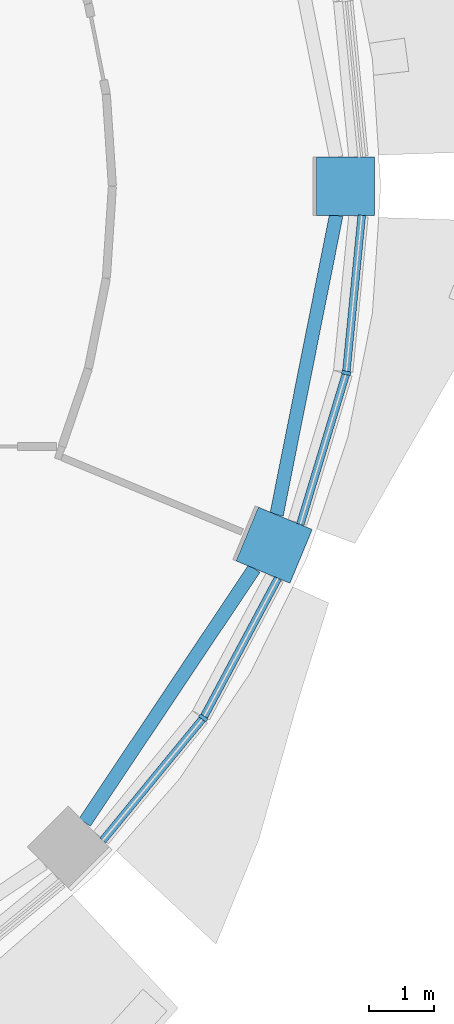
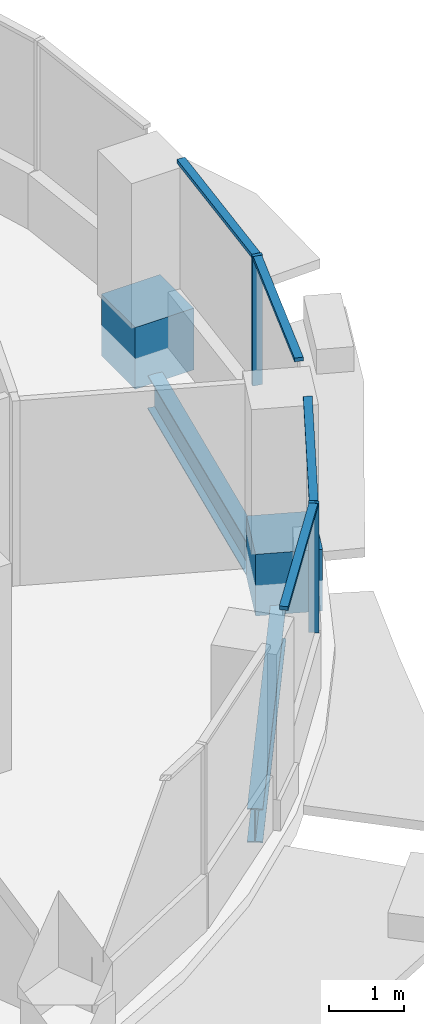
# One storey, part 3 of 14: 8 members, 2 beams, 2 elements without a shape of their own.
"""IFC4 building model written with IfcOpenShell, lengths in metres."""

from ifc_helpers import new_model, si_unit, direction, frame, origin, origin_2d, place, context, subcontext, project, spatial, rectangle, i_section, extrude, material, material_profile, profile_set, type_object, element, aggregate, save


model = new_model("IFC4")

# Units and contexts
model_context = context("Model", 3, precision=1e-05, world=origin(), true_north=direction((0.0, 1.0)))
body_context = subcontext(model_context, "Body", "Model", "MODEL_VIEW")
ifc_project = project(units=[si_unit("LENGTHUNIT", "METRE"), si_unit("AREAUNIT", "SQUARE_METRE"), si_unit("VOLUMEUNIT", "CUBIC_METRE"), si_unit("PLANEANGLEUNIT", "RADIAN"), si_unit("MASSUNIT", "GRAM", prefix="KILO")], contexts=[model_context])

# Site, building, storey
site_placement = place(None, origin())
site = spatial("IfcSite", under=ifc_project, at=site_placement, CompositionType="ELEMENT")
building_placement = place(site_placement, origin())
building = spatial("IfcBuilding", under=site, at=building_placement, Name="Polderwave Tower", CompositionType="ELEMENT")
storey_placement = place(building_placement, frame((0.0, 0.0, 227.85009765625)))
storey = spatial("IfcBuildingStorey", under=building, at=storey_placement, Name="L62", CompositionType="ELEMENT", Elevation=227.85009765625)

# Curtain wall, member
ifc_material_1 = material(Name="Aluminium 6063-T6 and glass", Category="aluminium")
curtain_wall_type = type_object("IfcCurtainWallType", Name="Office ribbon glazing wall", PredefinedType="NOTDEFINED", material=ifc_material_1)
curtain_wall_1_placement = place(storey_placement, origin())
curtain_wall_1 = element("IfcCurtainWall", 1, at=curtain_wall_1_placement, inside=storey, type_object=curtain_wall_type, Name="CW3 L62 14", PredefinedType="NOTDEFINED")
ifc_material_2 = material(Name="Aluminium 6063-T6", Category="aluminium")
ifc_material_profile_1 = material_profile(ifc_material_2, rectangle(XDim=0.139892578125, YDim=0.054931640625, at=origin_2d()), Name="AL 55x140")
ifc_profile_set_1 = profile_set([ifc_material_profile_1], Name="Aluminium 6063-T6")
member_type_1 = type_object("IfcMemberType", Name="Office ribbon glazing mullion 55x140", PredefinedType="MULLION", material=ifc_profile_set_1)
member_1_placement = place(storey_placement, frame((12.305908203125, -8.221923828125, 0.89990234375), z_axis=(0.0, 0.0, 1.0), x_axis=(-0.83150257904, 0.555520891641, 0.0)))
member_1 = element("IfcMember", 2, at=member_1_placement, type_object=member_type_1, Name="CW3 mullion 1", PredefinedType="MULLION", context=body_context, shape_type="SweptSolid", body=[
    extrude(rectangle(XDim=0.139892578125, YDim=0.054931640625, at=origin_2d()), origin(), (0.0, 0.0, 1.0), 2.10009765625),
])

curtain_wall_2_placement = place(storey_placement, origin())
curtain_wall_2 = element("IfcCurtainWall", 3, at=curtain_wall_2_placement, inside=storey, type_object=curtain_wall_type, Name="CW3 L62 15", PredefinedType="NOTDEFINED")
member_2_placement = place(storey_placement, frame((14.51611328125, -2.886962890625, 0.89990234375), z_axis=(0.0, 0.0, 1.0), x_axis=(-0.980788004282, 0.195076627651, 0.0)))
member_2 = element("IfcMember", 4, at=member_2_placement, type_object=member_type_1, Name="CW3 mullion 1", PredefinedType="MULLION", context=body_context, shape_type="SweptSolid", body=[
    extrude(rectangle(XDim=0.139892578125, YDim=0.054931640625, at=origin_2d()), origin(), (0.0, 0.0, 1.0), 2.10009765625),
])

# Member
ifc_material_profile_2 = material_profile(ifc_material_2, rectangle(XDim=0.1201171875, YDim=0.06005859375, at=origin_2d()), Name="AL 60x120")
ifc_profile_set_2 = profile_set([ifc_material_profile_2], Name="Aluminium 6063-T6")
member_type_2 = type_object("IfcMemberType", Name="Office ribbon glazing transom 60x120", PredefinedType="USERDEFINED", material=ifc_profile_set_2)
member_3_placement = place(storey_placement, frame((10.751953125, -10.115966796875, 2.969970703125), z_axis=(0.634356767429, 0.773040420429, 0.0), x_axis=(-0.773040420429, 0.634356767429, 0.0)))
member_3 = element("IfcMember", 5, at=member_3_placement, type_object=member_type_2, Name="CW3 transom 1", ObjectType="TRANSOM", PredefinedType="USERDEFINED", context=body_context, shape_type="SweptSolid", body=[
    extrude(rectangle(XDim=0.1201171875, YDim=0.06005859375, at=origin_2d()), origin(), (0.0, 0.0, 1.0), 2.42236328125),
])

member_4_placement = place(storey_placement, frame((12.319091796875, -8.19775390625, 2.969970703125), z_axis=(0.471336691944, 0.881953356379, 0.0), x_axis=(-0.881953356379, 0.471336691944, 0.0)))
member_4 = element("IfcMember", 6, at=member_4_placement, type_object=member_type_2, Name="CW3 transom 2", ObjectType="TRANSOM", PredefinedType="USERDEFINED", context=body_context, shape_type="SweptSolid", body=[
    extrude(rectangle(XDim=0.1201171875, YDim=0.06005859375, at=origin_2d()), origin(), (0.0, 0.0, 1.0), 2.42041015625),
])

aggregate(curtain_wall_1, [member_1, member_3, member_4])

member_5_placement = place(storey_placement, frame((13.804931640625, -5.23095703125, 2.969970703125), z_axis=(0.290315133049, 0.956931096539, 0.0), x_axis=(-0.956931096539, 0.290315133049, 0.0)))
member_5 = element("IfcMember", 7, at=member_5_placement, type_object=member_type_2, Name="CW3 transom 1", ObjectType="TRANSOM", PredefinedType="USERDEFINED", context=body_context, shape_type="SweptSolid", body=[
    extrude(rectangle(XDim=0.1201171875, YDim=0.06005859375, at=origin_2d()), origin(), (0.0, 0.0, 1.0), 2.421875),
])

member_6_placement = place(storey_placement, frame((14.518798828125, -2.859619140625, 2.969970703125), z_axis=(0.098006140559, 0.995185809994, 0.0), x_axis=(-0.995185809994, 0.098006140559, 0.0)))
member_6 = element("IfcMember", 8, at=member_6_placement, type_object=member_type_2, Name="CW3 transom 2", ObjectType="TRANSOM", PredefinedType="USERDEFINED", context=body_context, shape_type="SweptSolid", body=[
    extrude(rectangle(XDim=0.1201171875, YDim=0.06005859375, at=origin_2d()), origin(), (0.0, 0.0, 1.0), 2.42138671875),
])

aggregate(curtain_wall_2, [member_2, member_5, member_6])

# Members
ifc_material_3 = material(Name="Concrete C60/75", Category="concrete")
ifc_material_profile_3 = material_profile(ifc_material_3, rectangle(XDim=0.89990234375, YDim=0.89990234375, at=origin_2d()), Name="RC 900x900")
ifc_profile_set_3 = profile_set([ifc_material_profile_3], Name="Concrete C60/75")
member_type_3 = type_object("IfcMemberType", Name="RC NODE 900x900 C60/75", PredefinedType="POST", material=ifc_profile_set_3)
for number, where, z_axis, x_axis, name in (
    (9, (14.505859375, 0.0, -0.5), (0.0, 0.0, 1.0), (1.0, 0.0, 0.0), "Ring column node 01"),
    (10, (13.40185546875, -5.55126953125, -0.5), (0.0, 0.0, 1.0), (0.923879532511, -0.382683432365, 0.0), "Ring column node 16"),
):
    element("IfcMember", number, at=place(storey_placement, frame(where, z_axis=z_axis, x_axis=x_axis)), inside=storey, type_object=member_type_3, Name=name, PredefinedType="POST", context=body_context, shape_type="SweptSolid", body=[
        extrude(rectangle(XDim=0.89990234375, YDim=0.89990234375, at=origin_2d()), origin(), (0.0, 0.0, 1.0), 1.0),
    ])

# Beams
ifc_material_4 = material(Name="Steel S355", Category="steel")
ifc_material_profile_4 = material_profile(ifc_material_4, i_section(OverallWidth=0.2099609375, OverallDepth=0.550048828125, WebThickness=0.010986328125, FlangeThickness=0.01708984375, at=origin_2d()), Name="IPE 550")
ifc_profile_set_4 = profile_set([ifc_material_profile_4], Name="Steel S355")
beam_type = type_object("IfcBeamType", Name="RING BEAM IPE 550", PredefinedType="BEAM", material=ifc_profile_set_4)
beam_1_placement = place(storey_placement, frame((10.47265625, -9.836181640625, -0.625), z_axis=(0.555583113094, 0.831461005968, 0.0), x_axis=(-0.831461005968, 0.555583113094, 0.0)))
element("IfcBeam", 11, at=beam_1_placement, inside=storey, type_object=beam_type, Name="ST-RB-L62-14", PredefinedType="BEAM", context=body_context, shape_type="SweptSolid", body=[
    extrude(i_section(OverallWidth=0.2099609375, OverallDepth=0.550048828125, WebThickness=0.010986328125, FlangeThickness=0.01708984375, at=origin_2d()), origin(), (0.0, 0.0, 1.0), 4.720458984375),
])
beam_2_placement = place(storey_placement, frame((13.439453125, -5.079833984375, -0.625), z_axis=(0.195131408172, 0.980777106964, 0.0), x_axis=(-0.980777106964, 0.195131408172, 0.0)))
element("IfcBeam", 12, at=beam_2_placement, inside=storey, type_object=beam_type, Name="ST-RB-L62-15", PredefinedType="BEAM", context=body_context, shape_type="SweptSolid", body=[
    extrude(i_section(OverallWidth=0.2099609375, OverallDepth=0.550048828125, WebThickness=0.010986328125, FlangeThickness=0.01708984375, at=origin_2d()), origin(), (0.0, 0.0, 1.0), 4.720703125),
])

save(model, "model.ifc")
